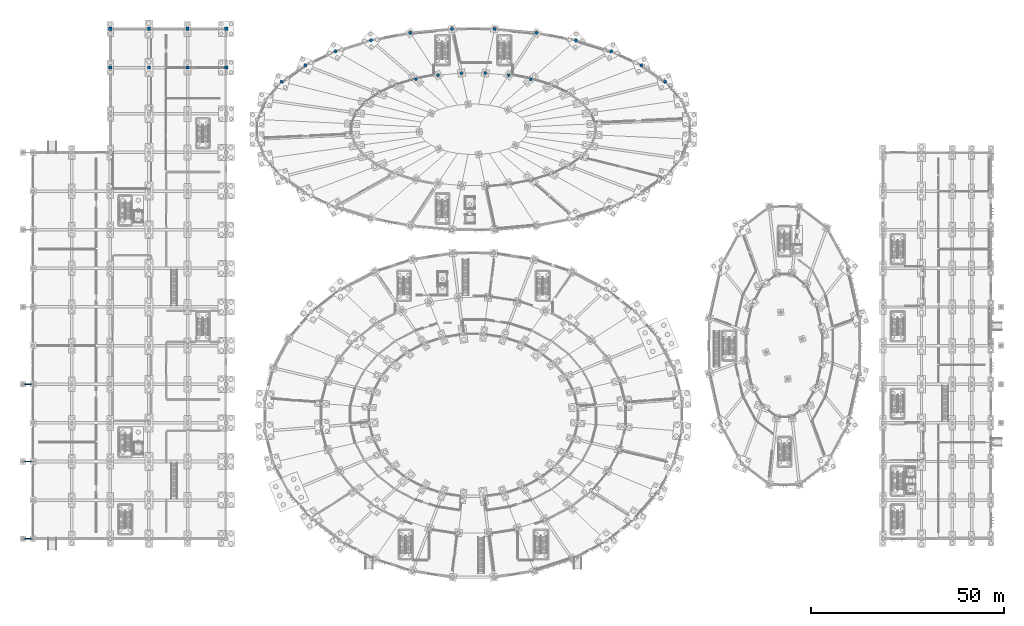
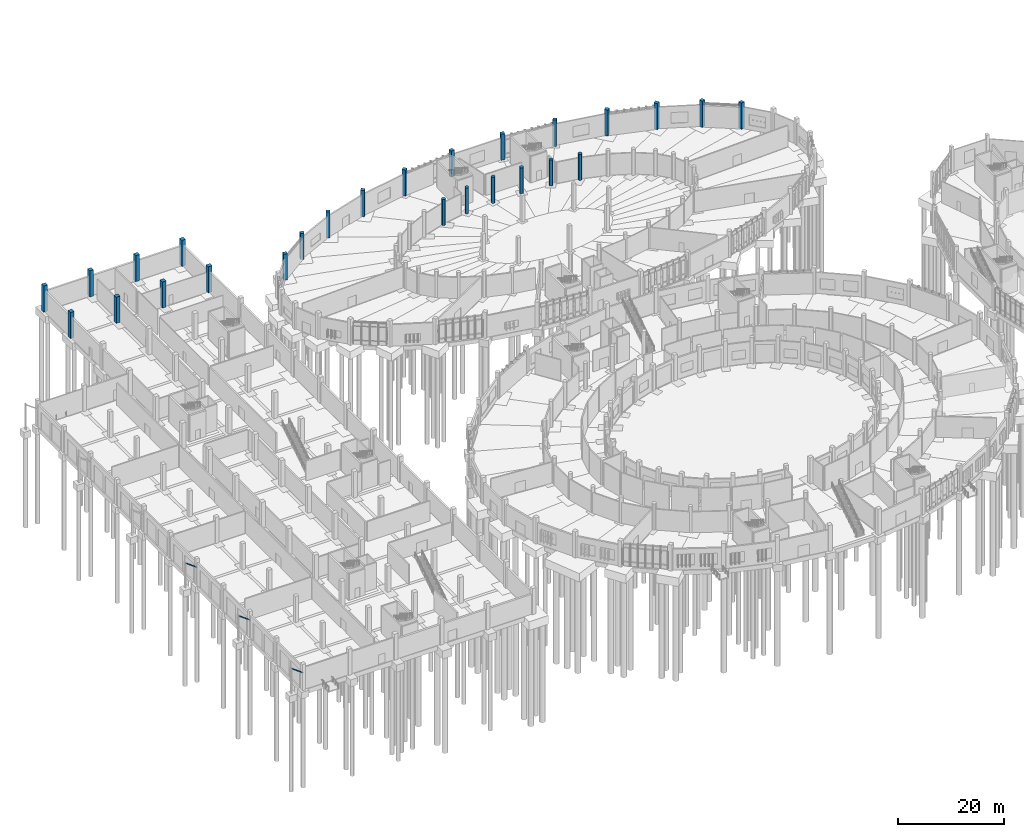
# One storey, part 31 of 140: 26 columns, 3 members.
"""IFC4 building model written with IfcOpenShell, lengths in metres."""

from ifc_helpers import new_model, si_unit, direction, frame, origin, origin_2d, place, context, subcontext, project, spatial, rectangle, hollow_rectangle, circle, extrude, material, material_profile, profile_set, type_object, element, save


model = new_model("IFC4")

# Units and contexts
model_context = context("Model", 3, precision=1e-05, world=origin(), true_north=direction((0.0, 1.0)))
body_context = subcontext(model_context, "Body", "Model", "MODEL_VIEW")
ifc_project = project(units=[si_unit("LENGTHUNIT", "METRE"), si_unit("AREAUNIT", "SQUARE_METRE"), si_unit("VOLUMEUNIT", "CUBIC_METRE"), si_unit("PLANEANGLEUNIT", "RADIAN"), si_unit("MASSUNIT", "GRAM", prefix="KILO")], contexts=[model_context])

# Site, building, storey
site_placement = place(None, origin())
site = spatial("IfcSite", under=ifc_project, at=site_placement, CompositionType="ELEMENT")
building_placement = place(site_placement, origin())
building = spatial("IfcBuilding", under=site, at=building_placement, Name="Corvandel Quay Wholesale Market", CompositionType="ELEMENT")
storey_placement = place(building_placement, origin())
storey = spatial("IfcBuildingStorey", under=building, at=storey_placement, Name="L00", CompositionType="ELEMENT", Elevation=0.0)

# Columns
ifc_material_1 = material(Name="Precast concrete C45/55", Category="concrete")
ifc_material_profile_1 = material_profile(ifc_material_1, circle(Radius=0.375, at=origin_2d()), Name="PC-COL-D750")
ifc_profile_set_1 = profile_set([ifc_material_profile_1], Name="Precast concrete C45/55")
column_type_1 = type_object("IfcColumnType", Name="Circular Hall Column C11 D750", PredefinedType="COLUMN", material=ifc_profile_set_1)
for number, where, z_axis, x_axis, name in (
    (1, (128.85498046875, 128.903076171875, 0.0), (0.0, 0.0, 1.0), (1.0, 0.0, 0.0), "Column COL-0347"),
    (2, (123.14697265625, 130.0, 0.0), (0.0, 0.0, 1.0), (1.0, 0.0, 0.0), "Column COL-0351"),
    (3, (117.089111328125, 130.56005859375, 0.0), (0.0, 0.0, 1.0), (1.0, 0.0, 0.0), "Column COL-0355"),
    (4, (110.910888671875, 130.56005859375, 0.0), (0.0, 0.0, 1.0), (1.0, 0.0, 0.0), "Column COL-0359"),
    (5, (104.85302734375, 130.0, 0.0), (0.0, 0.0, 1.0), (1.0, 0.0, 0.0), "Column COL-0365"),
    (6, (99.14501953125, 128.903076171875, 0.0), (0.0, 0.0, 1.0), (1.0, 0.0, 0.0), "Column COL-0369"),
):
    element("IfcColumn", number, at=place(storey_placement, frame(where, z_axis=z_axis, x_axis=x_axis)), inside=storey, type_object=column_type_1, Name=name, PredefinedType="COLUMN", context=body_context, shape_type="SweptSolid", body=[
        extrude(circle(Radius=0.375, at=origin_2d()), origin(), (0.0, 0.0, 1.0), 6.0),
    ])
ifc_material_profile_2 = material_profile(ifc_material_1, rectangle(XDim=0.85009765625, YDim=0.85009765625, at=origin_2d()), Name="PC-COL-850x850")
ifc_profile_set_2 = profile_set([ifc_material_profile_2], Name="Precast concrete C45/55")
column_type_2 = type_object("IfcColumnType", Name="Precast Column C01 850x850", PredefinedType="COLUMN", material=ifc_profile_set_2)
for number, where, z_axis, x_axis, name in (
    (7, (20.0, 132.0, 0.0), (0.0, 0.0, 1.0), (1.0, 0.0, 0.0), "Column COL-0647"),
    (8, (20.0, 142.0, 0.0), (0.0, 0.0, 1.0), (1.0, 0.0, 0.0), "Column COL-0649"),
    (9, (30.0, 132.0, 0.0), (0.0, 0.0, 1.0), (1.0, 0.0, 0.0), "Column COL-0687"),
    (10, (30.0, 142.0, 0.0), (0.0, 0.0, 1.0), (1.0, 0.0, 0.0), "Column COL-0689"),
    (11, (40.0, 132.0, 0.0), (0.0, 0.0, 1.0), (1.0, 0.0, 0.0), "Column COL-0727"),
    (12, (40.0, 142.0, 0.0), (0.0, 0.0, 1.0), (1.0, 0.0, 0.0), "Column COL-0729"),
    (13, (50.0, 132.0, 0.0), (0.0, 0.0, 1.0), (1.0, 0.0, 0.0), "Column COL-0767"),
    (14, (50.0, 142.0, 0.0), (0.0, 0.0, 1.0), (1.0, 0.0, 0.0), "Column COL-0769"),
):
    element("IfcColumn", number, at=place(storey_placement, frame(where, z_axis=z_axis, x_axis=x_axis)), inside=storey, type_object=column_type_2, Name=name, PredefinedType="COLUMN", context=body_context, shape_type="SweptSolid", body=[
        extrude(rectangle(XDim=0.85009765625, YDim=0.85009765625, at=origin_2d()), origin(), (0.0, 0.0, 1.0), 6.0),
    ])
ifc_material_profile_3 = material_profile(ifc_material_1, rectangle(XDim=0.75, YDim=0.75, at=origin_2d()), Name="PC-COL-750x750")
ifc_profile_set_3 = profile_set([ifc_material_profile_3], Name="Precast concrete C45/55")
column_type_3 = type_object("IfcColumnType", Name="Precast Column C03 750x750", PredefinedType="COLUMN", material=ifc_profile_set_3)
for number, where, z_axis, x_axis, name in (
    (15, (163.626953125, 128.31591796875, 0.0), (0.0, 0.0, 1.0), (-0.240905671828, 0.970548534222, 0.0), "Column COL-0331"),
    (16, (157.498046875, 132.573974609375, 0.0), (0.0, 0.0, 1.0), (-0.356085714679, 0.934453296747, 0.0), "Column COL-0335"),
    (17, (149.697998046875, 136.196044921875, 0.0), (0.0, 0.0, 1.0), (-0.492423560103, 0.87035569594, 0.0), "Column COL-0339"),
    (18, (140.52587890625, 139.041015625, 0.0), (0.0, 0.0, 1.0), (-0.655795545685, 0.754938542041, 0.0), "Column COL-0345"),
    (19, (130.3349609375, 141.0009765625, 0.0), (0.0, 0.0, 1.0), (-0.837146380758, 0.546978918409, 0.0), "Column COL-0349"),
    (20, (119.51611328125, 142.0, 0.0), (0.0, 0.0, 1.0), (-0.978220116011, 0.207570240234, 0.0), "Column COL-0353"),
    (21, (108.48388671875, 142.0, 0.0), (0.0, 0.0, 1.0), (0.978220116011, 0.207570240234, 0.0), "Column COL-0357"),
    (22, (97.6650390625, 141.0009765625, 0.0), (0.0, 0.0, 1.0), (0.837146380758, 0.546978918409, 0.0), "Column COL-0363"),
    (23, (87.47412109375, 139.041015625, 0.0), (0.0, 0.0, 1.0), (0.655795545685, 0.754938542041, 0.0), "Column COL-0367"),
    (24, (78.302001953125, 136.196044921875, 0.0), (0.0, 0.0, 1.0), (0.492423560103, 0.87035569594, 0.0), "Column COL-0371"),
    (25, (70.501953125, 132.573974609375, 0.0), (0.0, 0.0, 1.0), (0.356085714679, 0.934453296747, 0.0), "Column COL-0375"),
    (26, (64.373046875, 128.31591796875, 0.0), (0.0, 0.0, 1.0), (0.240905671828, 0.970548534222, 0.0), "Column COL-0381"),
):
    element("IfcColumn", number, at=place(storey_placement, frame(where, z_axis=z_axis, x_axis=x_axis)), inside=storey, type_object=column_type_3, Name=name, PredefinedType="COLUMN", context=body_context, shape_type="SweptSolid", body=[
        extrude(rectangle(XDim=0.75, YDim=0.75, at=origin_2d()), origin(), (0.0, 0.0, 1.0), 6.0),
    ])

# Members
ifc_material_2 = material(Name="Steel A500 Grade C", Category="steel")
ifc_material_profile_4 = material_profile(ifc_material_2, hollow_rectangle(XDim=0.202880859375, YDim=0.202880859375, WallThickness=0.0087890625, at=origin_2d()), Name="HSS8X8X3/8")
ifc_profile_set_4 = profile_set([ifc_material_profile_4], Name="Steel A500 Grade C")
member_type = type_object("IfcMemberType", Name="Canopy Inclined Strut Brace BR02 HSS8X8", PredefinedType="BRACE", material=ifc_profile_set_4)
for number, where, z_axis, x_axis, name in (
    (27, (0.0, 10.0, 3.800048828125), (-0.805868518899, 0.0, 0.592094528136), (0.0, -1.0, 0.0), "Member MEM-0110"),
    (28, (0.0, 30.0, 3.800048828125), (-0.805868518899, 0.0, 0.592094528136), (0.0, -1.0, 0.0), "Member MEM-0111"),
    (29, (0.0, 50.0, 3.800048828125), (-0.805868518899, 0.0, 0.592094528136), (0.0, -1.0, 0.0), "Member MEM-0112"),
):
    element("IfcMember", number, at=place(storey_placement, frame(where, z_axis=z_axis, x_axis=x_axis)), inside=storey, type_object=member_type, Name=name, PredefinedType="BRACE", context=body_context, shape_type="SweptSolid", body=[
        extrude(hollow_rectangle(XDim=0.202880859375, YDim=0.202880859375, WallThickness=0.0087890625, at=origin_2d()), origin(), (0.0, 0.0, 1.0), 3.0400390625),
    ])

save(model, "model.ifc")
